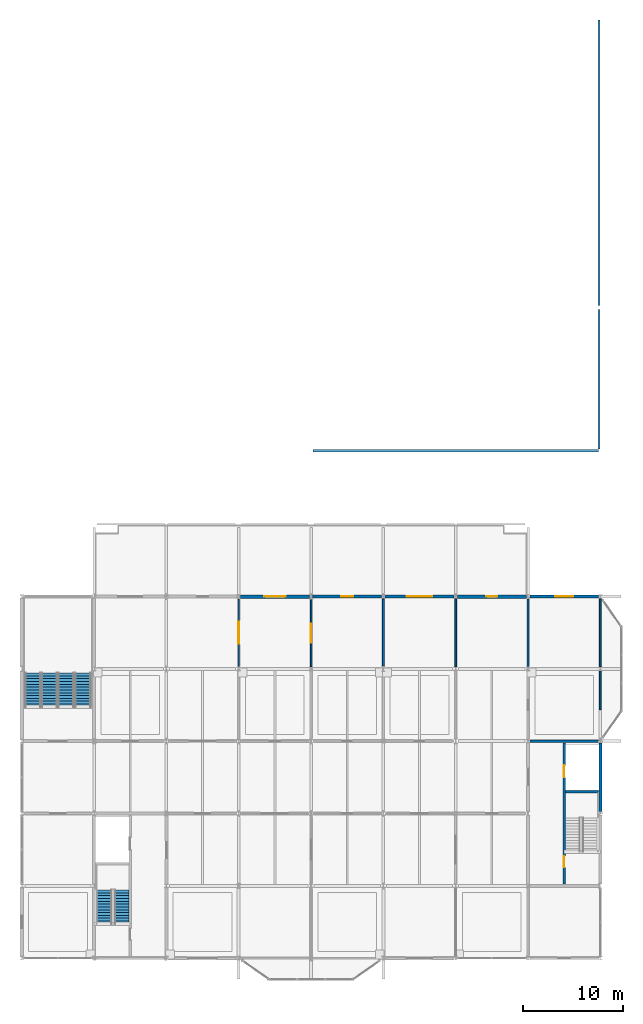
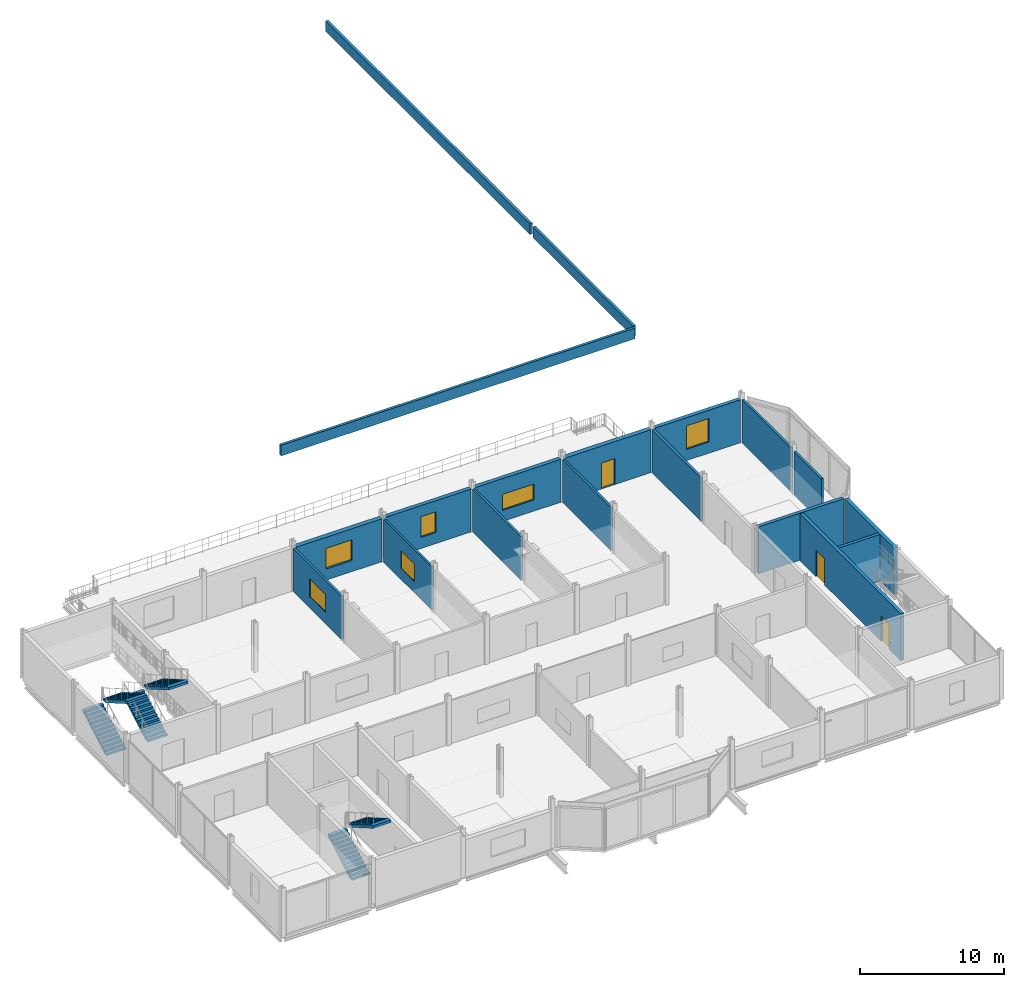
# One storey, part 21 of 26: 19 walls, 6 stair flights, 6 windows, 3 doors, 9 openings, 3 elements without a shape of their own.
"""IFC4 building model written with IfcOpenShell, lengths in metres."""

from ifc_helpers import new_model, si_unit, direction, frame, frame_2d, origin, place, context, subcontext, project, spatial, polyline, rectangle, outline, extrude, material, layer, layer_set, type_object, element, fill, aggregate, save


model = new_model("IFC4")

# Units and contexts
model_context = context("Model", 3, precision=1e-05, world=origin(), true_north=direction((0.0, 1.0)))
body_context = subcontext(model_context, "Body", "Model", "MODEL_VIEW")
ifc_project = project(units=[si_unit("LENGTHUNIT", "METRE"), si_unit("AREAUNIT", "SQUARE_METRE"), si_unit("VOLUMEUNIT", "CUBIC_METRE"), si_unit("PLANEANGLEUNIT", "RADIAN"), si_unit("MASSUNIT", "GRAM", prefix="KILO")], contexts=[model_context])

# Site, building, storey
site_placement = place(None, origin())
site = spatial("IfcSite", under=ifc_project, at=site_placement, CompositionType="ELEMENT")
building_placement = place(site_placement, origin())
building = spatial("IfcBuilding", under=site, at=building_placement, Name="Vesperath Aquatics Centre", CompositionType="ELEMENT")
storey_placement = place(building_placement, frame((0.0, 0.0, 19.199951171875)))
storey = spatial("IfcBuildingStorey", under=building, at=storey_placement, Name="L04", CompositionType="ELEMENT", Elevation=19.199951171875)

# Wall, opening, window
ifc_material_1 = material(Name="Glazed majolica and brick insulated cavity wall", Category="masonry")
ifc_layer_1 = layer(ifc_material_1, 0.360107421875)
ifc_layer_set_1 = layer_set([ifc_layer_1], Name="Glazed majolica and brick insulated cavity wall")
wall_type_1 = type_object("IfcWallType", Name="WL-EW03", PredefinedType="SOLIDWALL", material=ifc_layer_set_1)
wall_1_placement = place(storey_placement, frame((136.97509765625, 36.0, 0.0), z_axis=(0.0, 0.0, 1.0), x_axis=(1.0, 0.0, 0.0)))
wall_1 = element("IfcWall", 1, at=wall_1_placement, inside=storey, type_object=wall_type_1, Name="Exterior Wall EW03 L04_N_19_05", PredefinedType="SOLIDWALL", context=body_context, shape_type="SweptSolid", body=[
    extrude(rectangle(XDim=6.875, YDim=0.360107421875, at=frame_2d((3.4375, 0.0))), origin(), (0.0, 0.0, 1.0), 3.64013671875),
])
opening_1_placement = place(wall_1_placement, frame((2.387939453125, 0.0, 0.949951171875)))
opening_1 = element("IfcOpeningElement", 2, at=opening_1_placement, cuts=wall_1, Name="Opening W11", PredefinedType="OPENING", context=body_context, shape_type="SweptSolid", body=[
    extrude(rectangle(XDim=2.10009765625, YDim=1.75, at=frame_2d((1.050048828125, 0.875))), frame((0.0, 0.19482421875, 0.0), z_axis=(0.0, -1.0, 0.0), x_axis=(1.0, 0.0, 0.0)), (0.0, 0.0, 1.0), 0.389892578125),
])
ifc_material_2 = material(Name="Thermally broken aluminium triple-glazed window", Category="aluminium")
window_type_1 = type_object("IfcWindowType", Name="WN-W11", PartitioningType="SINGLE_PANEL", PredefinedType="WINDOW", material=ifc_material_2)
window_1_placement = place(opening_1_placement, origin())
window_1 = element("IfcWindow", 3, at=window_1_placement, inside=storey, type_object=window_type_1, Name="Deep-Reveal Casement Window W11 L04_N_19_05", OverallHeight=1.75, OverallWidth=2.10009765625, PartitioningType="SINGLE_PANEL", PredefinedType="WINDOW", context=body_context, shape_type="SweptSolid", body=[
    extrude(rectangle(XDim=2.10009765625, YDim=1.75, at=frame_2d((1.050048828125, 0.875))), frame((0.0, 0.030029296875, 0.0), z_axis=(0.0, -1.0, 0.0), x_axis=(1.0, 0.0, 0.0)), (0.0, 0.0, 1.0), 0.06005859375),
])
fill(opening_1, window_1)

# Wall, opening, door
wall_2_placement = place(storey_placement, frame((158.574951171875, 36.0, 0.0), z_axis=(0.0, 0.0, 1.0), x_axis=(1.0, 0.0, 0.0)))
wall_2 = element("IfcWall", 4, at=wall_2_placement, inside=storey, type_object=wall_type_1, Name="Exterior Wall EW03 L04_N_22_05", PredefinedType="SOLIDWALL", context=body_context, shape_type="SweptSolid", body=[
    extrude(rectangle(XDim=6.85009765625, YDim=0.360107421875, at=frame_2d((3.425048828125, 0.0))), origin(), (0.0, 0.0, 1.0), 3.64013671875),
])
opening_2_placement = place(wall_2_placement, frame((2.875, 0.0, 0.0)))
opening_2 = element("IfcOpeningElement", 5, at=opening_2_placement, cuts=wall_2, Name="Opening TRD2", PredefinedType="OPENING", context=body_context, shape_type="SweptSolid", body=[
    extrude(rectangle(XDim=1.10009765625, YDim=2.199951171875, at=frame_2d((0.550048828125, 1.10009765625))), frame((0.0, 0.19482421875, 0.0), z_axis=(0.0, -1.0, 0.0), x_axis=(1.0, 0.0, 0.0)), (0.0, 0.0, 1.0), 0.389892578125),
])
ifc_material_3 = material(Name="Thermally broken bronze-anodised glazed aluminium door", Category="aluminium")
door_type_1 = type_object("IfcDoorType", Name="DR-TR02", OperationType="NOTDEFINED", PredefinedType="DOOR", material=ifc_material_3)
door_1_placement = place(opening_2_placement, origin())
door_1 = element("IfcDoor", 6, at=door_1_placement, inside=storey, type_object=door_type_1, Name="Roof Terrace Access Door TRD2 L04_N_22_05", OperationType="SINGLE_SWING_LEFT", OverallHeight=2.199951171875, OverallWidth=1.10009765625, PredefinedType="DOOR", context=body_context, shape_type="SweptSolid", body=[
    extrude(rectangle(XDim=1.10009765625, YDim=2.199951171875, at=frame_2d((0.550048828125, 1.10009765625))), frame((0.0, 0.02490234375, 0.0), z_axis=(0.0, -1.0, 0.0), x_axis=(1.0, 0.0, 0.0)), (0.0, 0.0, 1.0), 0.050048828125),
])
fill(opening_2, door_1)

# Wall, opening, window
ifc_material_4 = material(Name="Terrace pavilion insulated masonry wall", Category="masonry")
ifc_layer_2 = layer(ifc_material_4, 0.31005859375)
ifc_layer_set_2 = layer_set([ifc_layer_2], Name="Terrace pavilion insulated masonry wall")
wall_type_2 = type_object("IfcWallType", Name="WL-EW05", PredefinedType="SOLIDWALL", material=ifc_layer_set_2)
wall_3_placement = place(storey_placement, frame((144.14990234375, 36.0, 0.0), z_axis=(0.0, 0.0, 1.0), x_axis=(1.0, 0.0, 0.0)))
wall_3 = element("IfcWall", 7, at=wall_3_placement, inside=storey, type_object=wall_type_2, Name="Exterior Wall EW05 L04_N_20_05", PredefinedType="SOLIDWALL", context=body_context, shape_type="SweptSolid", body=[
    extrude(rectangle(XDim=6.875, YDim=0.31005859375, at=frame_2d((3.4375, 0.0))), origin(), (0.0, 0.0, 1.0), 3.64013671875),
])
opening_3_placement = place(wall_3_placement, frame((2.8369140625, 0.0, 0.949951171875)))
opening_3 = element("IfcOpeningElement", 8, at=opening_3_placement, cuts=wall_3, Name="Opening W14", PredefinedType="OPENING", context=body_context, shape_type="SweptSolid", body=[
    extrude(rectangle(XDim=1.199951171875, YDim=1.75, at=frame_2d((0.60009765625, 0.875))), frame((0.0, 0.169921875, 0.0), z_axis=(0.0, -1.0, 0.0), x_axis=(1.0, 0.0, 0.0)), (0.0, 0.0, 1.0), 0.33984375),
])
window_type_2 = type_object("IfcWindowType", Name="WN-W14", PartitioningType="SINGLE_PANEL", PredefinedType="WINDOW", material=ifc_material_2)
window_2_placement = place(opening_3_placement, origin())
window_2 = element("IfcWindow", 9, at=window_2_placement, inside=storey, type_object=window_type_2, Name="Deep-Reveal Casement Window W14 L04_N_20_05", OverallHeight=1.75, OverallWidth=1.199951171875, PartitioningType="SINGLE_PANEL", PredefinedType="WINDOW", context=body_context, shape_type="SweptSolid", body=[
    extrude(rectangle(XDim=1.199951171875, YDim=1.75, at=frame_2d((0.60009765625, 0.875))), frame((0.0, 0.030029296875, 0.0), z_axis=(0.0, -1.0, 0.0), x_axis=(1.0, 0.0, 0.0)), (0.0, 0.0, 1.0), 0.06005859375),
])
fill(opening_3, window_2)

wall_4_placement = place(storey_placement, frame((151.375, 36.0, 0.0), z_axis=(0.0, 0.0, 1.0), x_axis=(1.0, 0.0, 0.0)))
wall_4 = element("IfcWall", 10, at=wall_4_placement, inside=storey, type_object=wall_type_2, Name="Exterior Wall EW05 L04_N_21_05", PredefinedType="SOLIDWALL", context=body_context, shape_type="SweptSolid", body=[
    extrude(rectangle(XDim=6.85009765625, YDim=0.31005859375, at=frame_2d((3.425048828125, 0.0))), origin(), (0.0, 0.0, 1.0), 3.64013671875),
])
opening_4_placement = place(wall_4_placement, frame((2.175048828125, 0.0, 0.949951171875)))
opening_4 = element("IfcOpeningElement", 11, at=opening_4_placement, cuts=wall_4, Name="Opening W16", PredefinedType="OPENING", context=body_context, shape_type="SweptSolid", body=[
    extrude(rectangle(XDim=2.5, YDim=1.35009765625, at=frame_2d((1.25, 0.675048828125))), frame((0.0, 0.169921875, 0.0), z_axis=(0.0, -1.0, 0.0), x_axis=(1.0, 0.0, 0.0)), (0.0, 0.0, 1.0), 0.33984375),
])
window_type_3 = type_object("IfcWindowType", Name="WN-W16", PartitioningType="SINGLE_PANEL", PredefinedType="WINDOW", material=ifc_material_2)
window_3_placement = place(opening_4_placement, origin())
window_3 = element("IfcWindow", 12, at=window_3_placement, inside=storey, type_object=window_type_3, Name="Deep-Reveal Casement Window W16 L04_N_21_05", OverallHeight=1.35009765625, OverallWidth=2.5, PartitioningType="SINGLE_PANEL", PredefinedType="WINDOW", context=body_context, shape_type="SweptSolid", body=[
    extrude(rectangle(XDim=2.5, YDim=1.35009765625, at=frame_2d((1.25, 0.675048828125))), frame((0.0, 0.030029296875, 0.0), z_axis=(0.0, -1.0, 0.0), x_axis=(1.0, 0.0, 0.0)), (0.0, 0.0, 1.0), 0.06005859375),
])
fill(opening_4, window_3)

wall_5_placement = place(storey_placement, frame((165.77490234375, 36.0, 0.0), z_axis=(0.0, 0.0, 1.0), x_axis=(1.0, 0.0, 0.0)))
wall_5 = element("IfcWall", 13, at=wall_5_placement, inside=storey, type_object=wall_type_2, Name="Exterior Wall EW05 L04_N_23_05", PredefinedType="SOLIDWALL", context=body_context, shape_type="SweptSolid", body=[
    extrude(rectangle(XDim=6.85009765625, YDim=0.31005859375, at=frame_2d((3.425048828125, 0.0))), origin(), (0.0, 0.0, 1.0), 3.64013671875),
])
opening_5_placement = place(wall_5_placement, frame((2.52490234375, 0.0, 0.949951171875)))
opening_5 = element("IfcOpeningElement", 14, at=opening_5_placement, cuts=wall_5, Name="Opening W07", PredefinedType="OPENING", context=body_context, shape_type="SweptSolid", body=[
    extrude(rectangle(XDim=1.800048828125, YDim=2.0, at=frame_2d((0.89990234375, 1.0))), frame((0.0, 0.169921875, 0.0), z_axis=(0.0, -1.0, 0.0), x_axis=(1.0, 0.0, 0.0)), (0.0, 0.0, 1.0), 0.33984375),
])
window_type_4 = type_object("IfcWindowType", Name="WN-W07", PartitioningType="SINGLE_PANEL", PredefinedType="WINDOW", material=ifc_material_2)
window_4_placement = place(opening_5_placement, origin())
window_4 = element("IfcWindow", 15, at=window_4_placement, inside=storey, type_object=window_type_4, Name="Deep-Reveal Casement Window W07 L04_N_23_05", OverallHeight=2.0, OverallWidth=1.800048828125, PartitioningType="SINGLE_PANEL", PredefinedType="WINDOW", context=body_context, shape_type="SweptSolid", body=[
    extrude(rectangle(XDim=1.800048828125, YDim=2.0, at=frame_2d((0.89990234375, 1.0))), frame((0.0, 0.030029296875, 0.0), z_axis=(0.0, -1.0, 0.0), x_axis=(1.0, 0.0, 0.0)), (0.0, 0.0, 1.0), 0.06005859375),
])
fill(opening_5, window_4)

# Wall
ifc_material_5 = material(Name="Wet-village masonry block wall", Category="masonry")
ifc_layer_3 = layer(ifc_material_5, 0.199951171875)
ifc_layer_set_3 = layer_set([ifc_layer_3], Name="Wet-village masonry block wall")
wall_type_3 = type_object("IfcWallType", Name="WL-FW03", PredefinedType="SOLIDWALL", material=ifc_layer_set_3)
wall_6_placement = place(storey_placement, frame((165.60009765625, 29.02490234375, 0.0), z_axis=(0.0, 0.0, 1.0), x_axis=(0.0, 1.0, 0.0)))
element("IfcWall", 16, at=wall_6_placement, inside=storey, type_object=wall_type_3, Name="Interior Partition FW03 L04_AWC-W2", PredefinedType="SOLIDWALL", context=body_context, shape_type="SweptSolid", body=[
    extrude(rectangle(XDim=6.75, YDim=0.199951171875, at=frame_2d((3.375, 0.0))), origin(), (0.0, 0.0, 1.0), 3.64013671875),
])

# Wall, opening, window
ifc_material_6 = material(Name="Moisture-resistant tiled wet partition", Category="gypsum")
ifc_layer_4 = layer(ifc_material_6, 0.175048828125)
ifc_layer_set_4 = layer_set([ifc_layer_4], Name="Moisture-resistant tiled wet partition")
wall_type_4 = type_object("IfcWallType", Name="WL-IW02", PredefinedType="PARTITIONING", material=ifc_layer_set_4)
wall_7_placement = place(storey_placement, frame((136.800048828125, 29.02490234375, 0.0), z_axis=(0.0, 0.0, 1.0), x_axis=(0.0, 1.0, 0.0)))
wall_7 = element("IfcWall", 17, at=wall_7_placement, inside=storey, type_object=wall_type_4, Name="Interior Partition IW02 L04_SEMINAR_1-E2", PredefinedType="PARTITIONING", context=body_context, shape_type="SweptSolid", body=[
    extrude(rectangle(XDim=6.75, YDim=0.175048828125, at=frame_2d((3.375, 0.0))), origin(), (0.0, 0.0, 1.0), 3.64013671875),
])
opening_6_placement = place(wall_7_placement, frame((2.27490234375, 0.0, 0.949951171875)))
opening_6 = element("IfcOpeningElement", 18, at=opening_6_placement, cuts=wall_7, Name="Opening VW03", PredefinedType="OPENING", context=body_context, shape_type="SweptSolid", body=[
    extrude(rectangle(XDim=2.199951171875, YDim=1.5, at=frame_2d((1.10009765625, 0.75))), frame((0.0, 0.1025390625, 0.0), z_axis=(0.0, -1.0, 0.0), x_axis=(1.0, 0.0, 0.0)), (0.0, 0.0, 1.0), 0.204833984375),
])
ifc_material_7 = material(Name="Acoustic laminated interior viewing glazing", Category="glass")
window_type_5 = type_object("IfcWindowType", Name="WN-IW03", PartitioningType="SINGLE_PANEL", PredefinedType="WINDOW", material=ifc_material_7)
window_5_placement = place(opening_6_placement, origin())
window_5 = element("IfcWindow", 19, at=window_5_placement, inside=storey, type_object=window_type_5, Name="Interior Viewing Window VW03 L04_SEMINAR_1", OverallHeight=1.5, OverallWidth=2.199951171875, PartitioningType="SINGLE_PANEL", PredefinedType="WINDOW", context=body_context, shape_type="SweptSolid", body=[
    extrude(rectangle(XDim=2.199951171875, YDim=1.5, at=frame_2d((1.10009765625, 0.75))), frame((0.0, 0.030029296875, 0.0), z_axis=(0.0, -1.0, 0.0), x_axis=(1.0, 0.0, 0.0)), (0.0, 0.0, 1.0), 0.06005859375),
])
fill(opening_6, window_5)

# Walls
wall_8_placement = place(storey_placement, frame((151.199951171875, 29.093994140625, 0.0), z_axis=(0.0, 0.0, 1.0), x_axis=(0.0, 1.0, 0.0)))
element("IfcWall", 20, at=wall_8_placement, inside=storey, type_object=wall_type_4, Name="Interior Partition IW02 L04_MWC-E2", PredefinedType="PARTITIONING", context=body_context, shape_type="SweptSolid", body=[
    extrude(rectangle(XDim=6.680908203125, YDim=0.175048828125, at=frame_2d((3.34033203125, 0.0))), origin(), (0.0, 0.0, 1.0), 3.64013671875),
])
wall_9_placement = place(storey_placement, frame((158.39990234375, 29.02490234375, 0.0), z_axis=(0.0, 0.0, 1.0), x_axis=(0.0, 1.0, 0.0)))
element("IfcWall", 21, at=wall_9_placement, inside=storey, type_object=wall_type_4, Name="Interior Partition IW02 L04_FWC-E2", PredefinedType="PARTITIONING", context=body_context, shape_type="SweptSolid", body=[
    extrude(rectangle(XDim=6.75, YDim=0.175048828125, at=frame_2d((3.375, 0.0))), origin(), (0.0, 0.0, 1.0), 3.64013671875),
])
wall_10_placement = place(storey_placement, frame((172.800048828125, 24.75, 0.0), z_axis=(0.0, 0.0, 1.0), x_axis=(0.0, 1.0, 0.0)))
element("IfcWall", 22, at=wall_10_placement, inside=storey, type_object=wall_type_4, Name="Interior Partition IW02 L04_AWC-E1", PredefinedType="PARTITIONING", context=body_context, shape_type="SweptSolid", body=[
    extrude(rectangle(XDim=3.824951171875, YDim=0.175048828125, at=frame_2d((1.91259765625, 0.0))), origin(), (0.0, 0.0, 1.0), 3.64013671875),
])
wall_11_placement = place(storey_placement, frame((172.800048828125, 29.02490234375, 0.0), z_axis=(0.0, 0.0, 1.0), x_axis=(0.0, 1.0, 0.0)))
element("IfcWall", 23, at=wall_11_placement, inside=storey, type_object=wall_type_4, Name="Interior Partition IW02 L04_AWC-E2", PredefinedType="PARTITIONING", context=body_context, shape_type="SweptSolid", body=[
    extrude(rectangle(XDim=6.75, YDim=0.175048828125, at=frame_2d((3.375, 0.0))), origin(), (0.0, 0.0, 1.0), 3.679931640625),
])

# Wall, opening, window
ifc_material_8 = material(Name="Laboratory clean partition", Category="gypsum")
ifc_layer_5 = layer(ifc_material_8, 0.152099609375)
ifc_layer_set_5 = layer_set([ifc_layer_5], Name="Laboratory clean partition")
wall_type_5 = type_object("IfcWallType", Name="WL-IW05", PredefinedType="PARTITIONING", material=ifc_layer_set_5)
wall_12_placement = place(storey_placement, frame((144.0, 29.02490234375, 0.0), z_axis=(0.0, 0.0, 1.0), x_axis=(0.0, 1.0, 0.0)))
wall_12 = element("IfcWall", 24, at=wall_12_placement, inside=storey, type_object=wall_type_5, Name="Interior Partition IW05 L04_NUTR-E2", PredefinedType="PARTITIONING", context=body_context, shape_type="SweptSolid", body=[
    extrude(rectangle(XDim=6.68115234375, YDim=0.152099609375, at=frame_2d((3.340576171875, 0.0))), origin(), (0.0, 0.0, 1.0), 3.64013671875),
])
opening_7_placement = place(wall_12_placement, frame((2.39111328125, 0.0, 0.949951171875)))
opening_7 = element("IfcOpeningElement", 25, at=opening_7_placement, cuts=wall_12, Name="Opening VW04", PredefinedType="OPENING", context=body_context, shape_type="SweptSolid", body=[
    extrude(rectangle(XDim=1.89990234375, YDim=1.5, at=frame_2d((0.949951171875, 0.75))), frame((0.0, 0.0908203125, 0.0), z_axis=(0.0, -1.0, 0.0), x_axis=(1.0, 0.0, 0.0)), (0.0, 0.0, 1.0), 0.181884765625),
])
window_type_6 = type_object("IfcWindowType", Name="WN-IW04", PartitioningType="SINGLE_PANEL", PredefinedType="WINDOW", material=ifc_material_7)
window_6_placement = place(opening_7_placement, origin())
window_6 = element("IfcWindow", 26, at=window_6_placement, inside=storey, type_object=window_type_6, Name="Interior Viewing Window VW04 L04_NUTR", OverallHeight=1.5, OverallWidth=1.89990234375, PartitioningType="SINGLE_PANEL", PredefinedType="WINDOW", context=body_context, shape_type="SweptSolid", body=[
    extrude(rectangle(XDim=1.89990234375, YDim=1.5, at=frame_2d((0.949951171875, 0.75))), frame((0.0, 0.030029296875, 0.0), z_axis=(0.0, -1.0, 0.0), x_axis=(1.0, 0.0, 0.0)), (0.0, 0.0, 1.0), 0.06005859375),
])
fill(opening_7, window_6)

# Walls
ifc_material_9 = material(Name="Zinc-coped terrace parapet upstand", Category="masonry")
ifc_layer_6 = layer(ifc_material_9, 0.2099609375)
ifc_layer_set_6 = layer_set([ifc_layer_6], Name="Zinc-coped terrace parapet upstand")
wall_type_6 = type_object("IfcWallType", Name="WL-PR02", PredefinedType="PARAPET", material=ifc_layer_set_6)
wall_13_placement = place(storey_placement, frame((144.199951171875, 50.52001953125, 0.0), z_axis=(0.0, 0.0, 1.0), x_axis=(1.0, 0.0, 0.0)))
element("IfcWall", 27, at=wall_13_placement, inside=storey, type_object=wall_type_6, Name="Roof Parapet Wall PP02 PRP_V3_S", PredefinedType="PARAPET", context=body_context, shape_type="SweptSolid", body=[
    extrude(rectangle(XDim=28.400146484375, YDim=0.2099609375, at=frame_2d((14.2001953125, 0.0))), origin(), (0.0, 0.0, 1.0), 0.900146484375),
])
wall_14_placement = place(storey_placement, frame((172.679931640625, 50.699951171875, 0.0), z_axis=(0.0, 0.0, 1.0), x_axis=(0.0, 1.0, 0.0)))
element("IfcWall", 28, at=wall_14_placement, inside=storey, type_object=wall_type_6, Name="Roof Parapet Wall PP02 PRP_V3_E1", PredefinedType="PARAPET", context=body_context, shape_type="SweptSolid", body=[
    extrude(rectangle(XDim=13.900146484375, YDim=0.2099609375, at=frame_2d((6.9501953125, 0.0))), origin(), (0.0, 0.0, 1.0), 0.900146484375),
])
wall_15_placement = place(storey_placement, frame((172.679931640625, 65.0, 0.0), z_axis=(0.0, 0.0, 1.0), x_axis=(0.0, 1.0, 0.0)))
element("IfcWall", 29, at=wall_15_placement, inside=storey, type_object=wall_type_6, Name="Roof Parapet Wall PP02 PRP_V3_E2", PredefinedType="PARAPET", context=body_context, shape_type="SweptSolid", body=[
    extrude(rectangle(XDim=28.39990234375, YDim=0.2099609375, at=frame_2d((14.199951171875, 0.0))), origin(), (0.0, 0.0, 1.0), 0.900146484375),
])
ifc_material_10 = material(Name="Concrete C40", Category="concrete")
ifc_layer_7 = layer(ifc_material_10, 0.280029296875)
ifc_layer_set_7 = layer_set([ifc_layer_7], Name="Concrete C40")
wall_type_7 = type_object("IfcWallType", Name="WL-SW02", PredefinedType="SHEAR", material=ifc_layer_set_7)
wall_16_placement = place(storey_placement, frame((165.77490234375, 21.60009765625, 0.0), z_axis=(0.0, 0.0, 1.0), x_axis=(1.0, 0.0, 0.0)))
element("IfcWall", 30, at=wall_16_placement, inside=storey, type_object=wall_type_7, Name="Core C6 North Shear Wall SW02 L04", PredefinedType="SHEAR", context=body_context, shape_type="SweptSolid", body=[
    extrude(rectangle(XDim=6.85009765625, YDim=0.280029296875, at=frame_2d((3.425048828125, 0.0))), origin(), (0.0, 0.0, 1.0), 3.97998046875),
])

# Wall, openings, doors
ifc_layer_8 = layer(ifc_material_10, 0.260009765625)
ifc_layer_set_8 = layer_set([ifc_layer_8], Name="Concrete C40")
wall_type_8 = type_object("IfcWallType", Name="WL-SW03", PredefinedType="SHEAR", material=ifc_layer_set_8)
wall_17_placement = place(storey_placement, frame((169.199951171875, 7.39990234375, 0.0), z_axis=(0.0, 0.0, 1.0), x_axis=(0.0, 1.0, 0.0)))
wall_17 = element("IfcWall", 31, at=wall_17_placement, inside=storey, type_object=wall_type_8, Name="Core C6 Spine Shear Wall SW03 L04", PredefinedType="SHEAR", context=body_context, shape_type="SweptSolid", body=[
    extrude(rectangle(XDim=14.0, YDim=0.260009765625, at=frame_2d((7.0, 0.0))), origin(), (0.0, 0.0, 1.0), 3.97998046875),
])
opening_8_placement = place(wall_17_placement, frame((1.64990234375, 0.0, 0.0)))
opening_8 = element("IfcOpeningElement", 32, at=opening_8_placement, cuts=wall_17, Name="Opening D01", PredefinedType="OPENING", context=body_context, shape_type="SweptSolid", body=[
    extrude(rectangle(XDim=1.10009765625, YDim=2.14990234375, at=frame_2d((0.550048828125, 1.074951171875))), frame((0.0, 0.14501953125, 0.0), z_axis=(0.0, -1.0, 0.0), x_axis=(1.0, 0.0, 0.0)), (0.0, 0.0, 1.0), 0.289794921875),
])
opening_9_placement = place(wall_17_placement, frame((10.60009765625, 0.0, 0.0)))
opening_9 = element("IfcOpeningElement", 33, at=opening_9_placement, cuts=wall_17, Name="Opening LD03", PredefinedType="OPENING", context=body_context, shape_type="SweptSolid", body=[
    extrude(rectangle(XDim=1.199951171875, YDim=2.25, at=frame_2d((0.60009765625, 1.125))), frame((0.0, 0.14501953125, 0.0), z_axis=(0.0, -1.0, 0.0), x_axis=(1.0, 0.0, 0.0)), (0.0, 0.0, 1.0), 0.289794921875),
])
ifc_material_11 = material(Name="Steel-faced acoustic fire door", Category="steel")
door_type_2 = type_object("IfcDoorType", Name="DR-FD01", OperationType="NOTDEFINED", PredefinedType="DOOR", material=ifc_material_11)
door_2_placement = place(opening_8_placement, frame((1.10009765625, 0.0, 0.0), z_axis=(0.0, 0.0, 1.0), x_axis=(-1.0, 0.0, 0.0)))
door_2 = element("IfcDoor", 34, at=door_2_placement, inside=storey, type_object=door_type_2, Name="Stair ST6 Fire Door D01 L04", OperationType="SINGLE_SWING_RIGHT", OverallHeight=2.14990234375, OverallWidth=1.10009765625, PredefinedType="DOOR", context=body_context, shape_type="SweptSolid", body=[
    extrude(rectangle(XDim=1.10009765625, YDim=2.14990234375, at=frame_2d((0.550048828125, 1.074951171875))), frame((0.0, 0.02490234375, 0.0), z_axis=(0.0, -1.0, 0.0), x_axis=(1.0, 0.0, 0.0)), (0.0, 0.0, 1.0), 0.050048828125),
])
fill(opening_8, door_2)
ifc_material_12 = material(Name="Firefighting stainless lift landing door", Category="steel")
door_type_3 = type_object("IfcDoorType", Name="DR-LD03", OperationType="SLIDING_TO_LEFT", PredefinedType="DOOR", material=ifc_material_12)
door_3_placement = place(opening_9_placement, origin())
door_3 = element("IfcDoor", 35, at=door_3_placement, inside=storey, type_object=door_type_3, Name="Lift LFT-FF2 Sliding Landing Door LD03 L04", OperationType="SLIDING_TO_LEFT", OverallHeight=2.25, OverallWidth=1.199951171875, PredefinedType="DOOR", context=body_context, shape_type="SweptSolid", body=[
    extrude(rectangle(XDim=1.199951171875, YDim=2.25, at=frame_2d((0.60009765625, 1.125))), frame((0.0, 0.02490234375, 0.0), z_axis=(0.0, -1.0, 0.0), x_axis=(1.0, 0.0, 0.0)), (0.0, 0.0, 1.0), 0.050048828125),
])
fill(opening_9, door_3)

# Walls
ifc_layer_9 = layer(ifc_material_10, 0.25)
ifc_layer_set_9 = layer_set([ifc_layer_9], Name="Concrete C40")
wall_type_9 = type_object("IfcWallType", Name="WL-SW04", PredefinedType="SHEAR", material=ifc_layer_set_9)
wall_18_placement = place(storey_placement, frame((169.340087890625, 16.580078125, 0.0), z_axis=(0.0, 0.0, 1.0), x_axis=(1.0, 0.0, 0.0)))
element("IfcWall", 36, at=wall_18_placement, inside=storey, type_object=wall_type_9, Name="Core C6 Lift Shaft Wall SW04 L04", PredefinedType="SHEAR", context=body_context, shape_type="SweptSolid", body=[
    extrude(rectangle(XDim=3.2998046875, YDim=0.25, at=frame_2d((1.64990234375, 0.0))), origin(), (0.0, 0.0, 1.0), 3.97998046875),
])
ifc_layer_10 = layer(ifc_material_10, 0.2900390625)
ifc_layer_set_10 = layer_set([ifc_layer_10], Name="Concrete C40")
wall_type_10 = type_object("IfcWallType", Name="WL-SW06", PredefinedType="SHEAR", material=ifc_layer_set_10)
wall_19_placement = place(storey_placement, frame((172.800048828125, 14.574951171875, 0.0), z_axis=(0.0, 0.0, 1.0), x_axis=(0.0, 1.0, 0.0)))
element("IfcWall", 37, at=wall_19_placement, inside=storey, type_object=wall_type_10, Name="Core C6 East-2 Shear Wall SW06 L04", PredefinedType="SHEAR", context=body_context, shape_type="SweptSolid", body=[
    extrude(rectangle(XDim=6.85009765625, YDim=0.2900390625, at=frame_2d((3.425048828125, 0.0))), origin(), (0.0, 0.0, 1.0), 3.97998046875),
])

# Stair, stair flights
ifc_material_13 = material(Name="Concrete C35", Category="concrete")
stair_type_1 = type_object("IfcStairType", Name="ST-HT42", PredefinedType="HALF_TURN_STAIR", material=ifc_material_13)
stair_1_placement = place(storey_placement, origin())
stair_1 = element("IfcStair", 38, at=stair_1_placement, inside=storey, type_object=stair_type_1, Name="Enclosed Exit Stair ST5 L04", PredefinedType="HALF_TURN_STAIR")
stair_flight_type_1 = type_object("IfcStairFlightType", Name="SF-F42", PredefinedType="STRAIGHT", material=ifc_material_13)
stair_flight_1_placement = place(storey_placement, frame((123.469970703125, 3.419921875, 0.0), z_axis=(0.0, 0.0, 1.0), x_axis=(0.0, 1.0, 0.0)))
stair_flight_1 = element("IfcStairFlight", 39, at=stair_flight_1_placement, type_object=stair_flight_type_1, Name="Stair ST5 Flight 1 L04", NumberOfRisers=13, NumberOfTreads=12, PredefinedType="STRAIGHT", RiserHeight=0.161538, TreadLength=0.28, context=body_context, shape_type="SweptSolid", body=[
    extrude(outline(polyline([(0.0, 0.0), (0.0, 0.16162109375), (0.280029296875, 0.16162109375), (0.280029296875, 0.322998046875), (0.56005859375, 0.322998046875), (0.56005859375, 0.484619140625), (0.840087890625, 0.484619140625), (0.840087890625, 0.646240234375), (1.1201171875, 0.646240234375), (1.1201171875, 0.8076171875), (1.39990234375, 0.8076171875), (1.39990234375, 0.96923828125), (1.679931640625, 0.96923828125), (1.679931640625, 1.130859375), (1.9599609375, 1.130859375), (1.9599609375, 1.292236328125), (2.239990234375, 1.292236328125), (2.239990234375, 1.453857421875), (2.52001953125, 1.453857421875), (2.52001953125, 1.615478515625), (2.800048828125, 1.615478515625), (2.800048828125, 1.77685546875), (3.080078125, 1.77685546875), (3.080078125, 1.9384765625), (3.360107421875, 1.9384765625), (3.360107421875, 2.10009765625), (3.360107421875, 1.730712890625), (0.360107421875, 0.0), (0.0, 0.0)])), frame((0.0, 0.719970703125, 0.0), z_axis=(0.0, -1.0, 0.0), x_axis=(1.0, 0.0, 0.0)), (0.0, 0.0, 1.0), 1.43994140625),
])
stair_flight_2_placement = place(storey_placement, frame((125.14990234375, 6.780029296875, 2.10009765625), z_axis=(0.0, 0.0, 1.0), x_axis=(0.0, -1.0, 0.0)))
stair_flight_2 = element("IfcStairFlight", 40, at=stair_flight_2_placement, type_object=stair_flight_type_1, Name="Stair ST5 Flight 2 L04", NumberOfRisers=13, NumberOfTreads=12, PredefinedType="STRAIGHT", RiserHeight=0.161538, TreadLength=0.28, context=body_context, shape_type="SweptSolid", body=[
    extrude(outline(polyline([(0.0, 0.0), (0.0, 0.16162109375), (0.280029296875, 0.16162109375), (0.280029296875, 0.322998046875), (0.56005859375, 0.322998046875), (0.56005859375, 0.484619140625), (0.840087890625, 0.484619140625), (0.840087890625, 0.646240234375), (1.1201171875, 0.646240234375), (1.1201171875, 0.8076171875), (1.39990234375, 0.8076171875), (1.39990234375, 0.96923828125), (1.679931640625, 0.96923828125), (1.679931640625, 1.130859375), (1.9599609375, 1.130859375), (1.9599609375, 1.292236328125), (2.239990234375, 1.292236328125), (2.239990234375, 1.453857421875), (2.52001953125, 1.453857421875), (2.52001953125, 1.615478515625), (2.800048828125, 1.615478515625), (2.800048828125, 1.77685546875), (3.080078125, 1.77685546875), (3.080078125, 1.9384765625), (3.360107421875, 1.9384765625), (3.360107421875, 2.10009765625), (3.360107421875, 1.730712890625), (0.360107421875, 0.0), (0.0, 0.0)])), frame((0.0, 0.719970703125, 0.0), z_axis=(0.0, -1.0, 0.0), x_axis=(1.0, 0.0, 0.0)), (0.0, 0.0, 1.0), 1.43994140625),
])
aggregate(stair_1, [stair_flight_1, stair_flight_2])

stair_type_2 = type_object("IfcStairType", Name="ST-HW42", PredefinedType="HALF_TURN_STAIR", material=ifc_material_13)
stair_2_placement = place(storey_placement, origin())
stair_2 = element("IfcStair", 41, at=stair_2_placement, inside=storey, type_object=stair_type_2, Name="Enclosed Exit Stair ST7A L04", PredefinedType="HALF_TURN_STAIR")
stair_flight_type_2 = type_object("IfcStairFlightType", Name="SF-W42", PredefinedType="STRAIGHT", material=ifc_material_13)
stair_flight_3_placement = place(storey_placement, frame((116.324951171875, 25.02001953125, 0.0), z_axis=(0.0, 0.0, 1.0), x_axis=(0.0, 1.0, 0.0)))
stair_flight_3 = element("IfcStairFlight", 42, at=stair_flight_3_placement, type_object=stair_flight_type_2, Name="Stair ST7A Flight 1 L04", NumberOfRisers=13, NumberOfTreads=12, PredefinedType="STRAIGHT", RiserHeight=0.161538, TreadLength=0.28, context=body_context, shape_type="SweptSolid", body=[
    extrude(outline(polyline([(0.0, 0.0), (0.0, 0.16162109375), (0.280029296875, 0.16162109375), (0.280029296875, 0.322998046875), (0.56005859375, 0.322998046875), (0.56005859375, 0.484619140625), (0.840087890625, 0.484619140625), (0.840087890625, 0.646240234375), (1.1201171875, 0.646240234375), (1.1201171875, 0.8076171875), (1.39990234375, 0.8076171875), (1.39990234375, 0.96923828125), (1.679931640625, 0.96923828125), (1.679931640625, 1.130859375), (1.9599609375, 1.130859375), (1.9599609375, 1.292236328125), (2.239990234375, 1.292236328125), (2.239990234375, 1.453857421875), (2.52001953125, 1.453857421875), (2.52001953125, 1.615478515625), (2.800048828125, 1.615478515625), (2.800048828125, 1.77685546875), (3.080078125, 1.77685546875), (3.080078125, 1.9384765625), (3.360107421875, 1.9384765625), (3.360107421875, 2.10009765625), (3.360107421875, 1.730712890625), (0.360107421875, 0.0), (0.0, 0.0)])), frame((0.0, 0.78515625, 0.0), z_axis=(0.0, -1.0, 0.0), x_axis=(1.0, 0.0, 0.0)), (0.0, 0.0, 1.0), 1.570068359375),
])
stair_flight_4_placement = place(storey_placement, frame((117.97509765625, 28.3798828125, 2.10009765625), z_axis=(0.0, 0.0, 1.0), x_axis=(0.0, -1.0, 0.0)))
stair_flight_4 = element("IfcStairFlight", 43, at=stair_flight_4_placement, type_object=stair_flight_type_2, Name="Stair ST7A Flight 2 L04", NumberOfRisers=13, NumberOfTreads=12, PredefinedType="STRAIGHT", RiserHeight=0.161538, TreadLength=0.28, context=body_context, shape_type="SweptSolid", body=[
    extrude(outline(polyline([(0.0, 0.0), (0.0, 0.16162109375), (0.280029296875, 0.16162109375), (0.280029296875, 0.322998046875), (0.56005859375, 0.322998046875), (0.56005859375, 0.484619140625), (0.840087890625, 0.484619140625), (0.840087890625, 0.646240234375), (1.1201171875, 0.646240234375), (1.1201171875, 0.8076171875), (1.39990234375, 0.8076171875), (1.39990234375, 0.96923828125), (1.679931640625, 0.96923828125), (1.679931640625, 1.130859375), (1.9599609375, 1.130859375), (1.9599609375, 1.292236328125), (2.239990234375, 1.292236328125), (2.239990234375, 1.453857421875), (2.52001953125, 1.453857421875), (2.52001953125, 1.615478515625), (2.800048828125, 1.615478515625), (2.800048828125, 1.77685546875), (3.080078125, 1.77685546875), (3.080078125, 1.9384765625), (3.360107421875, 1.9384765625), (3.360107421875, 2.10009765625), (3.360107421875, 1.730712890625), (0.360107421875, 0.0), (0.0, 0.0)])), frame((0.0, 0.78515625, 0.0), z_axis=(0.0, -1.0, 0.0), x_axis=(1.0, 0.0, 0.0)), (0.0, 0.0, 1.0), 1.570068359375),
])
aggregate(stair_2, [stair_flight_3, stair_flight_4])

stair_3_placement = place(storey_placement, origin())
stair_3 = element("IfcStair", 44, at=stair_3_placement, inside=storey, type_object=stair_type_2, Name="Enclosed Exit Stair ST7B L04", PredefinedType="HALF_TURN_STAIR")
stair_flight_5_placement = place(storey_placement, frame((119.625, 25.02001953125, 0.0), z_axis=(0.0, 0.0, 1.0), x_axis=(0.0, 1.0, 0.0)))
stair_flight_5 = element("IfcStairFlight", 45, at=stair_flight_5_placement, type_object=stair_flight_type_2, Name="Stair ST7B Flight 1 L04", NumberOfRisers=13, NumberOfTreads=12, PredefinedType="STRAIGHT", RiserHeight=0.161538, TreadLength=0.28, context=body_context, shape_type="SweptSolid", body=[
    extrude(outline(polyline([(0.0, 0.0), (0.0, 0.16162109375), (0.280029296875, 0.16162109375), (0.280029296875, 0.322998046875), (0.56005859375, 0.322998046875), (0.56005859375, 0.484619140625), (0.840087890625, 0.484619140625), (0.840087890625, 0.646240234375), (1.1201171875, 0.646240234375), (1.1201171875, 0.8076171875), (1.39990234375, 0.8076171875), (1.39990234375, 0.96923828125), (1.679931640625, 0.96923828125), (1.679931640625, 1.130859375), (1.9599609375, 1.130859375), (1.9599609375, 1.292236328125), (2.239990234375, 1.292236328125), (2.239990234375, 1.453857421875), (2.52001953125, 1.453857421875), (2.52001953125, 1.615478515625), (2.800048828125, 1.615478515625), (2.800048828125, 1.77685546875), (3.080078125, 1.77685546875), (3.080078125, 1.9384765625), (3.360107421875, 1.9384765625), (3.360107421875, 2.10009765625), (3.360107421875, 1.730712890625), (0.360107421875, 0.0), (0.0, 0.0)])), frame((0.0, 0.78515625, 0.0), z_axis=(0.0, -1.0, 0.0), x_axis=(1.0, 0.0, 0.0)), (0.0, 0.0, 1.0), 1.570068359375),
])
stair_flight_6_placement = place(storey_placement, frame((121.27490234375, 28.3798828125, 2.10009765625), z_axis=(0.0, 0.0, 1.0), x_axis=(0.0, -1.0, 0.0)))
stair_flight_6 = element("IfcStairFlight", 46, at=stair_flight_6_placement, type_object=stair_flight_type_2, Name="Stair ST7B Flight 2 L04", NumberOfRisers=13, NumberOfTreads=12, PredefinedType="STRAIGHT", RiserHeight=0.161538, TreadLength=0.28, context=body_context, shape_type="SweptSolid", body=[
    extrude(outline(polyline([(0.0, 0.0), (0.0, 0.16162109375), (0.280029296875, 0.16162109375), (0.280029296875, 0.322998046875), (0.56005859375, 0.322998046875), (0.56005859375, 0.484619140625), (0.840087890625, 0.484619140625), (0.840087890625, 0.646240234375), (1.1201171875, 0.646240234375), (1.1201171875, 0.8076171875), (1.39990234375, 0.8076171875), (1.39990234375, 0.96923828125), (1.679931640625, 0.96923828125), (1.679931640625, 1.130859375), (1.9599609375, 1.130859375), (1.9599609375, 1.292236328125), (2.239990234375, 1.292236328125), (2.239990234375, 1.453857421875), (2.52001953125, 1.453857421875), (2.52001953125, 1.615478515625), (2.800048828125, 1.615478515625), (2.800048828125, 1.77685546875), (3.080078125, 1.77685546875), (3.080078125, 1.9384765625), (3.360107421875, 1.9384765625), (3.360107421875, 2.10009765625), (3.360107421875, 1.730712890625), (0.360107421875, 0.0), (0.0, 0.0)])), frame((0.0, 0.78515625, 0.0), z_axis=(0.0, -1.0, 0.0), x_axis=(1.0, 0.0, 0.0)), (0.0, 0.0, 1.0), 1.570068359375),
])
aggregate(stair_3, [stair_flight_5, stair_flight_6])

save(model, "model.ifc")
